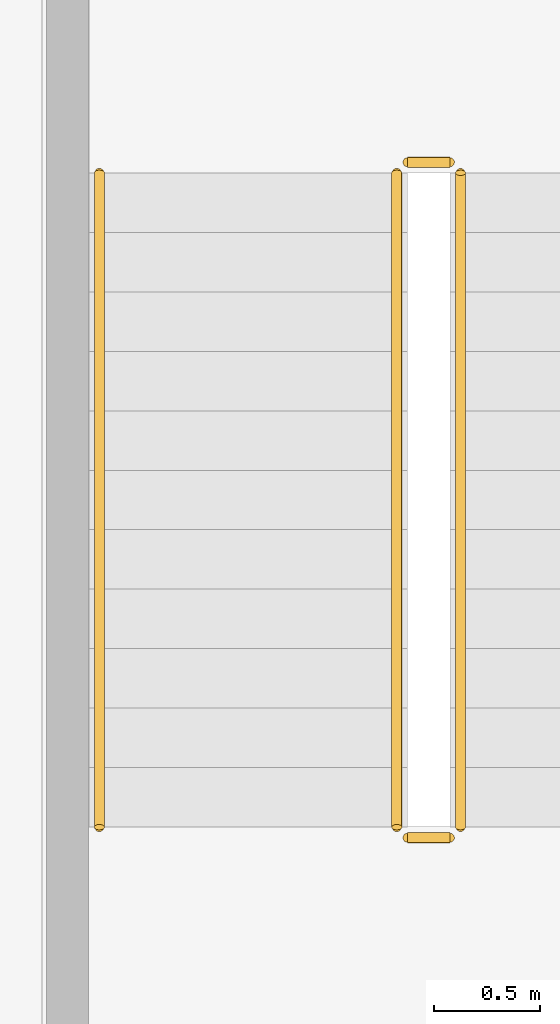
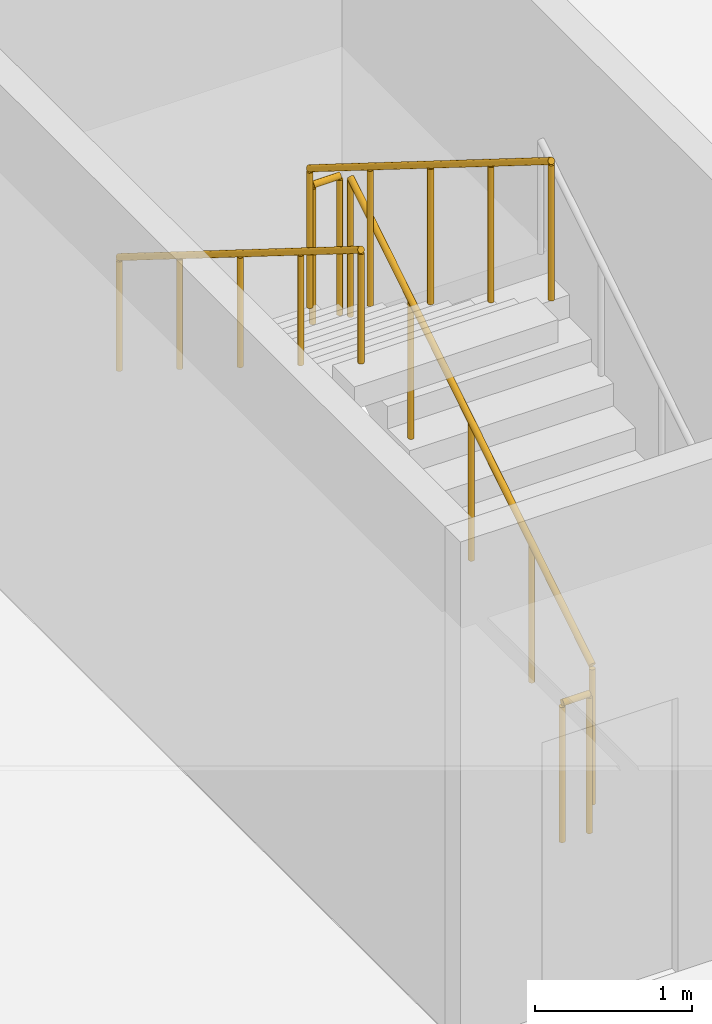
# One storey, part 20 of 22: 5 railings.
"""IFC4 building model written with IfcOpenShell, lengths in metres."""

from ifc_helpers import new_model, si_unit, direction, frame, origin, origin_2d, place, context, subcontext, project, spatial, circle, extrude, material, type_object, element, save


model = new_model("IFC4")

# Units and contexts
model_context = context("Model", 3, precision=1e-05, world=origin(), true_north=direction((0.0, 1.0)))
body_context = subcontext(model_context, "Body", "Model", "MODEL_VIEW")
ifc_project = project(units=[si_unit("LENGTHUNIT", "METRE"), si_unit("AREAUNIT", "SQUARE_METRE"), si_unit("VOLUMEUNIT", "CUBIC_METRE"), si_unit("PLANEANGLEUNIT", "RADIAN"), si_unit("MASSUNIT", "GRAM", prefix="KILO")], contexts=[model_context])

# Site, building, storey
site_placement = place(None, origin())
site = spatial("IfcSite", under=ifc_project, at=site_placement, CompositionType="ELEMENT")
building_placement = place(site_placement, origin())
building = spatial("IfcBuilding", under=site, at=building_placement, Name="Savorim Split Tower", CompositionType="ELEMENT")
storey_placement = place(building_placement, frame((0.0, 0.0, 13.39990234375)))
storey = spatial("IfcBuildingStorey", under=building, at=storey_placement, Name="L03", CompositionType="ELEMENT", Elevation=13.39990234375)

# Railings
ifc_material = material(Name="Galvanised Painted Steel Balustrade", Category="steel")
railing_type_1 = type_object("IfcRailingType", Name="RLG-HR-900", PredefinedType="HANDRAIL", material=ifc_material)
railing_1_placement = place(storey_placement, frame((20.64990234375, 18.179931640625, 2.275146484375)))
element("IfcRailing", 1, at=railing_1_placement, inside=storey, type_object=railing_type_1, Name="L03 ST-3 stair handrail 2", PredefinedType="HANDRAIL", context=body_context, shape_type="SweptSolid", body=[
    extrude(circle(Radius=0.02392578125, at=origin_2d()), frame((0.0, 0.0, 0.8759765625), z_axis=(0.0, -0.847979421464, 0.530029150871), x_axis=(1.0, 0.0, 0.0)), (0.0, 0.0, 1.0), 3.632080078125),
    extrude(circle(Radius=0.02099609375, at=origin_2d()), origin(), (0.0, 0.0, 1.0), 0.851806640625),
    extrude(circle(Radius=0.02099609375, at=origin_2d()), frame((0.0, -0.77001953125, 0.481201171875)), (0.0, 0.0, 1.0), 0.851806640625),
    extrude(circle(Radius=0.02099609375, at=origin_2d()), frame((0.0, -1.5400390625, 0.96240234375)), (0.0, 0.0, 1.0), 0.851806640625),
    extrude(circle(Radius=0.02099609375, at=origin_2d()), frame((0.0, -2.309814453125, 1.44384765625)), (0.0, 0.0, 1.0), 0.851806640625),
    extrude(circle(Radius=0.02099609375, at=origin_2d()), frame((0.0, -3.079833984375, 1.925048828125)), (0.0, 0.0, 1.0), 0.851806640625),
])
railing_type_2 = type_object("IfcRailingType", Name="RLG-STG-1100", PredefinedType="BALUSTRADE", material=ifc_material)
railing_2_placement = place(storey_placement, frame((22.35009765625, 15.10009765625, 0.175048828125)))
element("IfcRailing", 2, at=railing_2_placement, inside=storey, type_object=railing_type_2, Name="L03 ST-3 stair guard 1", PredefinedType="BALUSTRADE", context=body_context, shape_type="SweptSolid", body=[
    extrude(circle(Radius=0.02392578125, at=origin_2d()), frame((0.0, 0.0, 1.076171875), z_axis=(0.0, 0.847979421464, 0.530029150871), x_axis=(-1.0, 0.0, 0.0)), (0.0, 0.0, 1.0), 3.632080078125),
    extrude(circle(Radius=0.02099609375, at=origin_2d()), origin(), (0.0, 0.0, 1.0), 1.052001953125),
    extrude(circle(Radius=0.02099609375, at=origin_2d()), frame((0.0, 0.77001953125, 0.481201171875)), (0.0, 0.0, 1.0), 1.052001953125),
    extrude(circle(Radius=0.02099609375, at=origin_2d()), frame((0.0, 1.5400390625, 0.96240234375)), (0.0, 0.0, 1.0), 1.052001953125),
    extrude(circle(Radius=0.02099609375, at=origin_2d()), frame((0.0, 2.309814453125, 1.44384765625)), (0.0, 0.0, 1.0), 1.052001953125),
    extrude(circle(Radius=0.02099609375, at=origin_2d()), frame((0.0, 3.079833984375, 1.925048828125)), (0.0, 0.0, 1.0), 1.052001953125),
])
railing_3_placement = place(storey_placement, frame((22.300048828125, 18.22998046875, 2.10009765625)))
element("IfcRailing", 3, at=railing_3_placement, inside=storey, type_object=railing_type_2, Name="L03 ST-3 stair guard 2", PredefinedType="BALUSTRADE", context=body_context, shape_type="SweptSolid", body=[
    extrude(circle(Radius=0.02392578125, at=origin_2d()), frame((0.0, 0.0, 1.076171875), z_axis=(-1.0, 0.0, 0.0), x_axis=(0.0, -1.0, 0.0)), (0.0, 0.0, 1.0), 0.199951171875),
    extrude(circle(Radius=0.02099609375, at=origin_2d()), origin(), (0.0, 0.0, 1.0), 1.052001953125),
    extrude(circle(Radius=0.02099609375, at=origin_2d()), frame((-0.199951171875, 0.0, 0.0)), (0.0, 0.0, 1.0), 1.052001953125),
])
railing_4_placement = place(storey_placement, frame((22.050048828125, 18.179931640625, 2.275146484375)))
element("IfcRailing", 4, at=railing_4_placement, inside=storey, type_object=railing_type_2, Name="L03 ST-3 stair guard 3", PredefinedType="BALUSTRADE", context=body_context, shape_type="SweptSolid", body=[
    extrude(circle(Radius=0.02392578125, at=origin_2d()), frame((0.0, 0.0, 1.076171875), z_axis=(0.0, -0.847979421464, 0.530029150871), x_axis=(1.0, 0.0, 0.0)), (0.0, 0.0, 1.0), 3.632080078125),
    extrude(circle(Radius=0.02099609375, at=origin_2d()), origin(), (0.0, 0.0, 1.0), 1.052001953125),
    extrude(circle(Radius=0.02099609375, at=origin_2d()), frame((0.0, -0.77001953125, 0.481201171875)), (0.0, 0.0, 1.0), 1.052001953125),
    extrude(circle(Radius=0.02099609375, at=origin_2d()), frame((0.0, -1.5400390625, 0.96240234375)), (0.0, 0.0, 1.0), 1.052001953125),
    extrude(circle(Radius=0.02099609375, at=origin_2d()), frame((0.0, -2.309814453125, 1.44384765625)), (0.0, 0.0, 1.0), 1.052001953125),
    extrude(circle(Radius=0.02099609375, at=origin_2d()), frame((0.0, -3.079833984375, 1.925048828125)), (0.0, 0.0, 1.0), 1.052001953125),
])
railing_5_placement = place(storey_placement, frame((22.300048828125, 15.050048828125, 0.0)))
element("IfcRailing", 5, at=railing_5_placement, inside=storey, type_object=railing_type_2, Name="L03 ST-3 stair guard 4", PredefinedType="BALUSTRADE", context=body_context, shape_type="SweptSolid", body=[
    extrude(circle(Radius=0.02392578125, at=origin_2d()), frame((0.0, 0.0, 1.076171875), z_axis=(-1.0, 0.0, 0.0), x_axis=(0.0, -1.0, 0.0)), (0.0, 0.0, 1.0), 0.199951171875),
    extrude(circle(Radius=0.02099609375, at=origin_2d()), origin(), (0.0, 0.0, 1.0), 1.052001953125),
    extrude(circle(Radius=0.02099609375, at=origin_2d()), frame((-0.199951171875, 0.0, 0.0)), (0.0, 0.0, 1.0), 1.052001953125),
])

save(model, "model.ifc")
